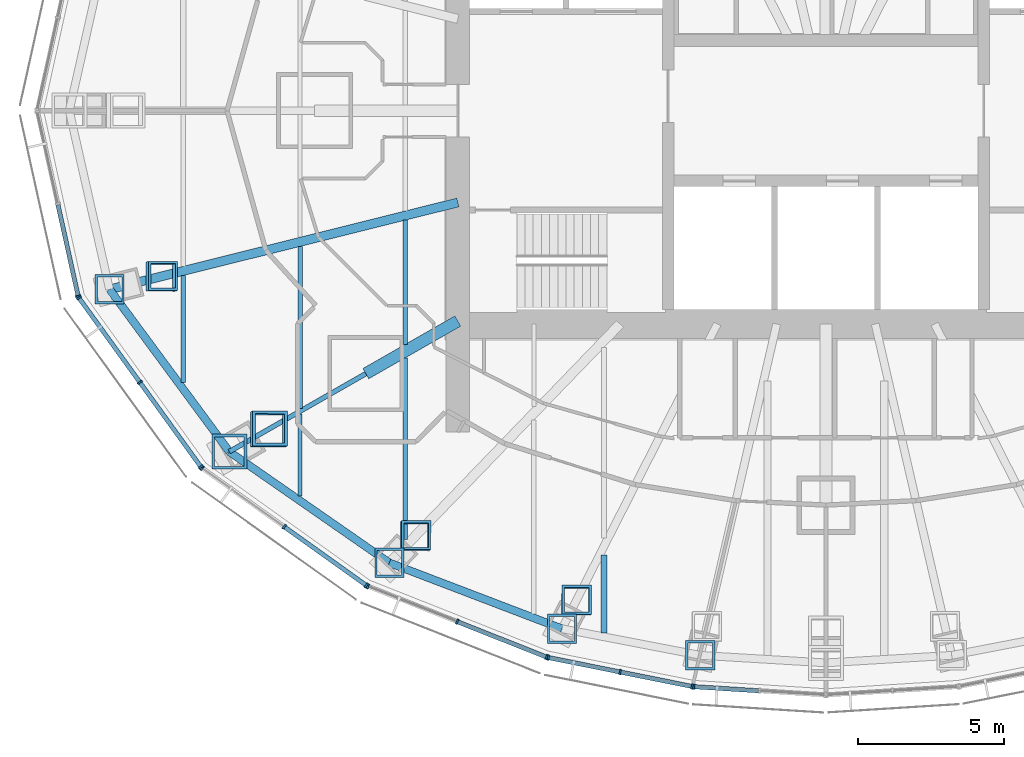
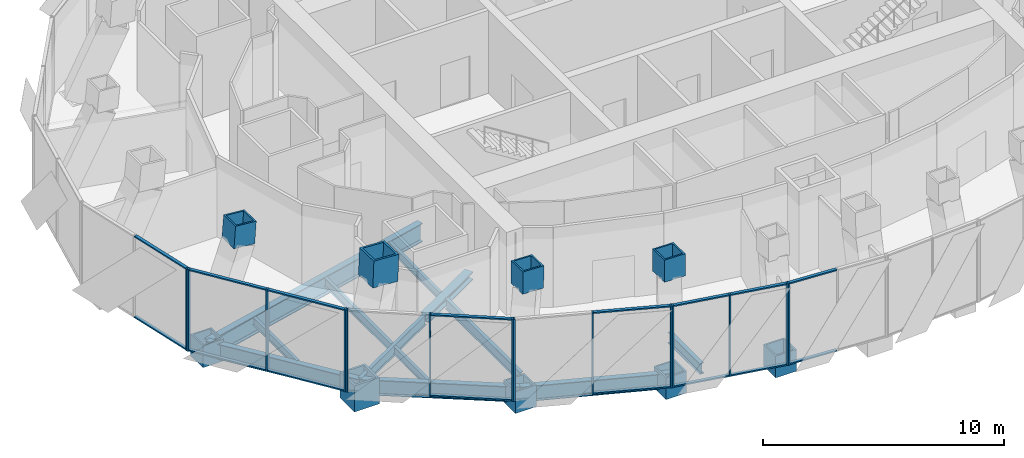
# One storey, part 2 of 18: 39 members, 12 beams, 6 elements without a shape of their own.
"""IFC4 building model written with IfcOpenShell, lengths in metres."""

from ifc_helpers import new_model, si_unit, direction, frame, origin, origin_2d, place, context, subcontext, project, spatial, rectangle, hollow_rectangle, i_section, extrude, material, material_profile, profile_set, type_object, element, aggregate, save


model = new_model("IFC4")

# Units and contexts
model_context = context("Model", 3, precision=1e-05, world=origin(), true_north=direction((0.0, 1.0)))
body_context = subcontext(model_context, "Body", "Model", "MODEL_VIEW")
ifc_project = project(units=[si_unit("LENGTHUNIT", "METRE"), si_unit("AREAUNIT", "SQUARE_METRE"), si_unit("VOLUMEUNIT", "CUBIC_METRE"), si_unit("PLANEANGLEUNIT", "RADIAN"), si_unit("MASSUNIT", "GRAM", prefix="KILO")], contexts=[model_context])

# Site, building, storey
site_placement = place(None, origin())
site = spatial("IfcSite", under=ifc_project, at=site_placement, CompositionType="ELEMENT")
building_placement = place(site_placement, origin())
building = spatial("IfcBuilding", under=site, at=building_placement, Name="Lantaw Convention Tower", CompositionType="ELEMENT")
storey_placement = place(building_placement, frame((0.0, 0.0, 266.199951171875)))
storey = spatial("IfcBuildingStorey", under=building, at=storey_placement, Name="L62", CompositionType="ELEMENT", Elevation=266.199951171875)

# Beams
ifc_material_1 = material(Name="Steel ASTM A992", Category="steel")
ifc_material_profile_1 = material_profile(ifc_material_1, i_section(OverallWidth=0.2666015625, OverallDepth=0.76953125, WebThickness=0.015625, FlangeThickness=0.025390625, FilletRadius=0.0126953125, at=origin_2d()), Name="W30X132")
ifc_profile_set_1 = profile_set([ifc_material_profile_1], Name="Steel ASTM A992")
beam_type_1 = type_object("IfcBeamType", Name="Beam E W30X132", PredefinedType="SPANDREL", material=ifc_profile_set_1)
beam_1_placement = place(storey_placement, frame((-24.52197265625, -6.114013671875, -0.53466796875), z_axis=(0.593639188853, -0.804731329984, 0.0), x_axis=(0.804731329984, 0.593639188853, 0.0)))
element("IfcBeam", 1, at=beam_1_placement, inside=storey, type_object=beam_type_1, Name="Edge beam 14", PredefinedType="SPANDREL", context=body_context, shape_type="SweptSolid", body=[
    extrude(i_section(OverallWidth=0.2666015625, OverallDepth=0.76953125, WebThickness=0.015625, FlangeThickness=0.025390625, FilletRadius=0.0126953125, at=origin_2d()), origin(), (0.0, 0.0, 1.0), 6.904541015625),
])
beam_2_placement = place(storey_placement, frame((-20.423095703125, -11.67041015625, -0.53466796875), z_axis=(0.82135329406, -0.570419815869, 0.0), x_axis=(0.570419815869, 0.82135329406, 0.0)))
element("IfcBeam", 2, at=beam_2_placement, inside=storey, type_object=beam_type_1, Name="Edge beam 15", PredefinedType="SPANDREL", context=body_context, shape_type="SweptSolid", body=[
    extrude(i_section(OverallWidth=0.2666015625, OverallDepth=0.76953125, WebThickness=0.015625, FlangeThickness=0.025390625, FilletRadius=0.0126953125, at=origin_2d()), origin(), (0.0, 0.0, 1.0), 6.67041015625),
])
beam_3_placement = place(storey_placement, frame((-14.9443359375, -15.475341796875, -0.53466796875), z_axis=(0.934234988, -0.356658081637, 0.0), x_axis=(0.356658081637, 0.934234988, 0.0)))
element("IfcBeam", 3, at=beam_3_placement, inside=storey, type_object=beam_type_1, Name="Edge beam 16", PredefinedType="SPANDREL", context=body_context, shape_type="SweptSolid", body=[
    extrude(i_section(OverallWidth=0.2666015625, OverallDepth=0.76953125, WebThickness=0.015625, FlangeThickness=0.025390625, FilletRadius=0.0126953125, at=origin_2d()), origin(), (0.0, 0.0, 1.0), 6.32568359375),
])
ifc_material_profile_2 = material_profile(ifc_material_1, i_section(OverallWidth=0.1650390625, OverallDepth=0.52587890625, WebThickness=0.0087890625, FlangeThickness=0.011474609375, FilletRadius=0.0126953125, at=origin_2d()), Name="W21X44")
ifc_profile_set_2 = profile_set([ifc_material_profile_2], Name="Steel ASTM A992")
beam_type_2 = type_object("IfcBeamType", Name="Beam G W21X44", PredefinedType="BEAM", material=ifc_profile_set_2)
beam_4_placement = place(storey_placement, frame((-15.75, -9.0, -0.412841796875), z_axis=(-0.868237559289, -0.496148708192, 0.0), x_axis=(0.496148708192, -0.868237559289, 0.0)))
element("IfcBeam", 4, at=beam_4_placement, inside=storey, type_object=beam_type_2, Name="Floor girder on ray 15", PredefinedType="BEAM", context=body_context, shape_type="SweptSolid", body=[
    extrude(i_section(OverallWidth=0.1650390625, OverallDepth=0.52587890625, WebThickness=0.0087890625, FlangeThickness=0.011474609375, FilletRadius=0.0126953125, at=origin_2d()), origin(), (0.0, 0.0, 1.0), 5.38232421875),
])
ifc_material_profile_3 = material_profile(ifc_material_1, i_section(OverallWidth=0.307373046875, OverallDepth=0.9423828125, WebThickness=0.022216796875, FlangeThickness=0.039794921875, FilletRadius=0.0126953125, at=origin_2d()), Name="W36X232")
ifc_profile_set_3 = profile_set([ifc_material_profile_3], Name="Steel ASTM A992")
beam_type_3 = type_object("IfcBeamType", Name="Beam G W36X232", PredefinedType="BEAM", material=ifc_profile_set_3)
beam_5_placement = place(storey_placement, frame((-12.60009765625, -3.1416015625, -0.62109375), z_axis=(-0.970296589314, -0.241918434119, 0.0), x_axis=(0.241918434119, -0.970296589314, 0.0)))
element("IfcBeam", 5, at=beam_5_placement, inside=storey, type_object=beam_type_3, Name="Floor girder on ray 14", PredefinedType="BEAM", context=body_context, shape_type="SweptSolid", body=[
    extrude(i_section(OverallWidth=0.307373046875, OverallDepth=0.9423828125, WebThickness=0.022216796875, FlangeThickness=0.039794921875, FilletRadius=0.0126953125, at=origin_2d()), origin(), (0.0, 0.0, 1.0), 12.286865234375),
])
ifc_material_profile_4 = material_profile(ifc_material_1, i_section(OverallWidth=0.40380859375, OverallDepth=0.406494140625, WebThickness=0.027099609375, FlangeThickness=0.043701171875, FilletRadius=0.01513671875, at=origin_2d()), Name="W14X233")
ifc_profile_set_4 = profile_set([ifc_material_profile_4], Name="Steel ASTM A992")
beam_type_4 = type_object("IfcBeamType", Name="Beam GM W14X233", PredefinedType="BEAM", material=ifc_profile_set_4)
beam_6_placement = place(storey_placement, frame((-12.60009765625, -7.199951171875, -0.353271484375), z_axis=(-0.868230718294, -0.496160679428, 0.0), x_axis=(0.496160679428, -0.868230718294, 0.0)))
element("IfcBeam", 6, at=beam_6_placement, inside=storey, type_object=beam_type_4, Name="Core link beam on ray 15", PredefinedType="BEAM", context=body_context, shape_type="SweptSolid", body=[
    extrude(i_section(OverallWidth=0.40380859375, OverallDepth=0.406494140625, WebThickness=0.027099609375, FlangeThickness=0.043701171875, FilletRadius=0.01513671875, at=origin_2d()), origin(), (0.0, 0.0, 1.0), 3.6279296875),
])
ifc_material_profile_5 = material_profile(ifc_material_1, i_section(OverallWidth=0.140380859375, OverallDepth=0.40380859375, WebThickness=0.007080078125, FlangeThickness=0.01123046875, FilletRadius=0.01025390625, at=origin_2d()), Name="W16X31")
ifc_profile_set_5 = profile_set([ifc_material_profile_5], Name="Steel ASTM A992")
beam_type_5 = type_object("IfcBeamType", Name="Beam J W16X31", PredefinedType="JOIST", material=ifc_profile_set_5)
beam_7_placement = place(storey_placement, frame((-22.0, -9.30810546875, -0.351806640625), z_axis=(0.0, 1.0, 0.0), x_axis=(-1.0, 0.0, 0.0)))
element("IfcBeam", 7, at=beam_7_placement, inside=storey, type_object=beam_type_5, Name="Floor joist", PredefinedType="JOIST", context=body_context, shape_type="SweptSolid", body=[
    extrude(i_section(OverallWidth=0.140380859375, OverallDepth=0.40380859375, WebThickness=0.007080078125, FlangeThickness=0.01123046875, FilletRadius=0.01025390625, at=origin_2d()), origin(), (0.0, 0.0, 1.0), 3.66455078125),
])
beam_8_placement = place(storey_placement, frame((-18.0, -13.19091796875, -0.351806640625), z_axis=(0.0, 1.0, 0.0), x_axis=(-1.0, 0.0, 0.0)))
element("IfcBeam", 8, at=beam_8_placement, inside=storey, type_object=beam_type_5, Name="Floor joist", PredefinedType="JOIST", context=body_context, shape_type="SweptSolid", body=[
    extrude(i_section(OverallWidth=0.140380859375, OverallDepth=0.40380859375, WebThickness=0.007080078125, FlangeThickness=0.01123046875, FilletRadius=0.01025390625, at=origin_2d()), origin(), (0.0, 0.0, 1.0), 2.81005859375),
])
beam_9_placement = place(storey_placement, frame((-14.39990234375, -7.99609375, -0.351806640625), z_axis=(0.0, 1.0, 0.0), x_axis=(-1.0, 0.0, 0.0)))
element("IfcBeam", 9, at=beam_9_placement, inside=storey, type_object=beam_type_5, Name="Floor joist", PredefinedType="JOIST", context=body_context, shape_type="SweptSolid", body=[
    extrude(i_section(OverallWidth=0.140380859375, OverallDepth=0.40380859375, WebThickness=0.007080078125, FlangeThickness=0.01123046875, FilletRadius=0.01025390625, at=origin_2d()), origin(), (0.0, 0.0, 1.0), 4.247314453125),
])
ifc_material_profile_6 = material_profile(ifc_material_1, i_section(OverallWidth=0.15234375, OverallDepth=0.449462890625, WebThickness=0.007568359375, FlangeThickness=0.0107421875, FilletRadius=0.01025390625, at=origin_2d()), Name="W18X35")
ifc_profile_set_6 = profile_set([ifc_material_profile_6], Name="Steel ASTM A992")
beam_type_6 = type_object("IfcBeamType", Name="Beam J W18X35", PredefinedType="JOIST", material=ifc_profile_set_6)
beam_10_placement = place(storey_placement, frame((-18.0, -10.190673828125, -0.374755859375), z_axis=(0.0, 1.0, 0.0), x_axis=(-1.0, 0.0, 0.0)))
element("IfcBeam", 10, at=beam_10_placement, inside=storey, type_object=beam_type_6, Name="Floor joist", PredefinedType="JOIST", context=body_context, shape_type="SweptSolid", body=[
    extrude(i_section(OverallWidth=0.15234375, OverallDepth=0.449462890625, WebThickness=0.007568359375, FlangeThickness=0.0107421875, FilletRadius=0.01025390625, at=origin_2d()), origin(), (0.0, 0.0, 1.0), 5.54443359375),
])
ifc_material_profile_7 = material_profile(ifc_material_1, i_section(OverallWidth=0.1650390625, OverallDepth=0.52587890625, WebThickness=0.0087890625, FlangeThickness=0.011474609375, FilletRadius=0.0126953125, at=origin_2d()), Name="W21X44")
ifc_profile_set_7 = profile_set([ifc_material_profile_7], Name="Steel ASTM A992")
beam_type_7 = type_object("IfcBeamType", Name="Beam J W21X44", PredefinedType="JOIST", material=ifc_profile_set_7)
beam_11_placement = place(storey_placement, frame((-14.39990234375, -14.67578125, -0.412841796875), z_axis=(0.0, 1.0, 0.0), x_axis=(-1.0, 0.0, 0.0)))
element("IfcBeam", 11, at=beam_11_placement, inside=storey, type_object=beam_type_7, Name="Floor joist", PredefinedType="JOIST", context=body_context, shape_type="SweptSolid", body=[
    extrude(i_section(OverallWidth=0.1650390625, OverallDepth=0.52587890625, WebThickness=0.0087890625, FlangeThickness=0.011474609375, FilletRadius=0.0126953125, at=origin_2d()), origin(), (0.0, 0.0, 1.0), 6.214599609375),
])
ifc_material_profile_8 = material_profile(ifc_material_1, i_section(OverallWidth=0.2099609375, OverallDepth=0.535888671875, WebThickness=0.010986328125, FlangeThickness=0.017333984375, FilletRadius=0.012939453125, at=origin_2d()), Name="W21X68")
ifc_profile_set_8 = profile_set([ifc_material_profile_8], Name="Steel ASTM A992")
beam_type_8 = type_object("IfcBeamType", Name="Beam J W21X68", PredefinedType="JOIST", material=ifc_profile_set_8)
beam_12_placement = place(storey_placement, frame((-7.60009765625, -17.871826171875, -0.41796875), z_axis=(0.0, 1.0, 0.0), x_axis=(-1.0, 0.0, 0.0)))
element("IfcBeam", 12, at=beam_12_placement, inside=storey, type_object=beam_type_8, Name="Floor joist", PredefinedType="JOIST", context=body_context, shape_type="SweptSolid", body=[
    extrude(i_section(OverallWidth=0.2099609375, OverallDepth=0.535888671875, WebThickness=0.010986328125, FlangeThickness=0.017333984375, FilletRadius=0.012939453125, at=origin_2d()), origin(), (0.0, 0.0, 1.0), 2.662353515625),
])

# Curtain wall, member
ifc_material_2 = material(Name="Aluminium framed curtain wall", Category="aluminium")
curtain_wall_type = type_object("IfcCurtainWallType", Name="Office curtain wall high rise, pale aluminium", PredefinedType="USERDEFINED", material=ifc_material_2)
curtain_wall_1_placement = place(storey_placement, origin())
curtain_wall_1 = element("IfcCurtainWall", 13, at=curtain_wall_1_placement, inside=storey, type_object=curtain_wall_type, Name="Office curtain wall high rise, pale aluminium L62", ObjectType="UNITISED CURTAIN WALL", PredefinedType="USERDEFINED")
ifc_material_3 = material(Name="Aluminium 6063-T6", Category="aluminium")
ifc_material_profile_9 = material_profile(ifc_material_3, rectangle(XDim=0.179931640625, YDim=0.06494140625, at=origin_2d()), Name="CW-O2 mullion 65x180")
ifc_profile_set_9 = profile_set([ifc_material_profile_9], Name="Aluminium 6063-T6")
member_type_1 = type_object("IfcMemberType", Name="CW-O2 mullion 65x180", PredefinedType="MULLION", material=ifc_profile_set_9)
member_1_placement = place(storey_placement, frame((-25.596435546875, -6.348388671875, -0.14990234375), z_axis=(0.0, 0.0, 1.0), x_axis=(0.976417396437, 0.215891333626, 0.0)))
member_1 = element("IfcMember", 14, at=member_1_placement, type_object=member_type_1, Name="CW-O2 mullion 3", PredefinedType="MULLION", context=body_context, shape_type="SweptSolid", body=[
    extrude(rectangle(XDim=0.179931640625, YDim=0.06494140625, at=origin_2d()), origin(), (0.0, 0.0, 1.0), 4.14990234375),
])

# Curtain wall, members
curtain_wall_2_placement = place(storey_placement, origin())
curtain_wall_2 = element("IfcCurtainWall", 15, at=curtain_wall_2_placement, inside=storey, type_object=curtain_wall_type, Name="Office curtain wall high rise, pale aluminium L62", ObjectType="UNITISED CURTAIN WALL", PredefinedType="USERDEFINED")
member_2_placement = place(storey_placement, frame((-25.5703125, -6.406494140625, -0.14990234375), z_axis=(0.0, 0.0, 1.0), x_axis=(0.810919559405, 0.585157643865, 0.0)))
member_2 = element("IfcMember", 16, at=member_2_placement, type_object=member_type_1, Name="CW-O2 mullion 1", PredefinedType="MULLION", context=body_context, shape_type="SweptSolid", body=[
    extrude(rectangle(XDim=0.179931640625, YDim=0.06494140625, at=origin_2d()), origin(), (0.0, 0.0, 1.0), 4.14990234375),
])
member_3_placement = place(storey_placement, frame((-23.483642578125, -9.298095703125, -0.14990234375), z_axis=(0.0, 0.0, 1.0), x_axis=(0.810919559405, 0.585157643865, 0.0)))
member_3 = element("IfcMember", 17, at=member_3_placement, type_object=member_type_1, Name="CW-O2 mullion 2", PredefinedType="MULLION", context=body_context, shape_type="SweptSolid", body=[
    extrude(rectangle(XDim=0.179931640625, YDim=0.06494140625, at=origin_2d()), origin(), (0.0, 0.0, 1.0), 4.14990234375),
])
member_4_placement = place(storey_placement, frame((-21.397216796875, -12.189697265625, -0.14990234375), z_axis=(0.0, 0.0, 1.0), x_axis=(0.810919559405, 0.585157643865, 0.0)))
member_4 = element("IfcMember", 18, at=member_4_placement, type_object=member_type_1, Name="CW-O2 mullion 3", PredefinedType="MULLION", context=body_context, shape_type="SweptSolid", body=[
    extrude(rectangle(XDim=0.179931640625, YDim=0.06494140625, at=origin_2d()), origin(), (0.0, 0.0, 1.0), 4.14990234375),
])

curtain_wall_3_placement = place(storey_placement, origin())
curtain_wall_3 = element("IfcCurtainWall", 19, at=curtain_wall_3_placement, inside=storey, type_object=curtain_wall_type, Name="Office curtain wall high rise, pale aluminium L62", ObjectType="UNITISED CURTAIN WALL", PredefinedType="USERDEFINED")
member_5_placement = place(storey_placement, frame((-21.3515625, -12.23486328125, -0.14990234375), z_axis=(0.0, 0.0, 1.0), x_axis=(0.581323487281, 0.813672540482, 0.0)))
member_5 = element("IfcMember", 20, at=member_5_placement, type_object=member_type_1, Name="CW-O2 mullion 1", PredefinedType="MULLION", context=body_context, shape_type="SweptSolid", body=[
    extrude(rectangle(XDim=0.179931640625, YDim=0.06494140625, at=origin_2d()), origin(), (0.0, 0.0, 1.0), 4.14990234375),
])
member_6_placement = place(storey_placement, frame((-18.543212890625, -14.241455078125, -0.14990234375), z_axis=(0.0, 0.0, 1.0), x_axis=(0.581323487281, 0.813672540482, 0.0)))
member_6 = element("IfcMember", 21, at=member_6_placement, type_object=member_type_1, Name="CW-O2 mullion 2", PredefinedType="MULLION", context=body_context, shape_type="SweptSolid", body=[
    extrude(rectangle(XDim=0.179931640625, YDim=0.06494140625, at=origin_2d()), origin(), (0.0, 0.0, 1.0), 4.14990234375),
])
member_7_placement = place(storey_placement, frame((-15.73486328125, -16.247802734375, -0.14990234375), z_axis=(0.0, 0.0, 1.0), x_axis=(0.581323487281, 0.813672540482, 0.0)))
member_7 = element("IfcMember", 22, at=member_7_placement, type_object=member_type_1, Name="CW-O2 mullion 3", PredefinedType="MULLION", context=body_context, shape_type="SweptSolid", body=[
    extrude(rectangle(XDim=0.179931640625, YDim=0.06494140625, at=origin_2d()), origin(), (0.0, 0.0, 1.0), 4.14990234375),
])

curtain_wall_4_placement = place(storey_placement, origin())
curtain_wall_4 = element("IfcCurtainWall", 23, at=curtain_wall_4_placement, inside=storey, type_object=curtain_wall_type, Name="Office curtain wall high rise, pale aluminium L62", ObjectType="UNITISED CURTAIN WALL", PredefinedType="USERDEFINED")
member_8_placement = place(storey_placement, frame((-15.67822265625, -16.278564453125, -0.14990234375), z_axis=(0.0, 0.0, 1.0), x_axis=(0.368162315252, 0.929761533743, 0.0)))
member_8 = element("IfcMember", 24, at=member_8_placement, type_object=member_type_1, Name="CW-O2 mullion 1", PredefinedType="MULLION", context=body_context, shape_type="SweptSolid", body=[
    extrude(rectangle(XDim=0.179931640625, YDim=0.06494140625, at=origin_2d()), origin(), (0.0, 0.0, 1.0), 4.14990234375),
])
member_9_placement = place(storey_placement, frame((-12.621337890625, -17.4892578125, -0.14990234375), z_axis=(0.0, 0.0, 1.0), x_axis=(0.368162315252, 0.929761533743, 0.0)))
member_9 = element("IfcMember", 25, at=member_9_placement, type_object=member_type_1, Name="CW-O2 mullion 2", PredefinedType="MULLION", context=body_context, shape_type="SweptSolid", body=[
    extrude(rectangle(XDim=0.179931640625, YDim=0.06494140625, at=origin_2d()), origin(), (0.0, 0.0, 1.0), 4.14990234375),
])
member_10_placement = place(storey_placement, frame((-9.564208984375, -18.69970703125, -0.14990234375), z_axis=(0.0, 0.0, 1.0), x_axis=(0.368162315252, 0.929761533743, 0.0)))
member_10 = element("IfcMember", 26, at=member_10_placement, type_object=member_type_1, Name="CW-O2 mullion 3", PredefinedType="MULLION", context=body_context, shape_type="SweptSolid", body=[
    extrude(rectangle(XDim=0.179931640625, YDim=0.06494140625, at=origin_2d()), origin(), (0.0, 0.0, 1.0), 4.14990234375),
])

curtain_wall_5_placement = place(storey_placement, origin())
curtain_wall_5 = element("IfcCurtainWall", 27, at=curtain_wall_5_placement, inside=storey, type_object=curtain_wall_type, Name="Office curtain wall high rise, pale aluminium L62", ObjectType="UNITISED CURTAIN WALL", PredefinedType="USERDEFINED")
member_11_placement = place(storey_placement, frame((-9.502197265625, -18.718017578125, -0.14990234375), z_axis=(0.0, 0.0, 1.0), x_axis=(0.197183095987, 0.980366679695, 0.0)))
member_11 = element("IfcMember", 28, at=member_11_placement, type_object=member_type_1, Name="CW-O2 mullion 1", PredefinedType="MULLION", context=body_context, shape_type="SweptSolid", body=[
    extrude(rectangle(XDim=0.179931640625, YDim=0.06494140625, at=origin_2d()), origin(), (0.0, 0.0, 1.0), 4.14990234375),
])
member_12_placement = place(storey_placement, frame((-7.042724609375, -19.212646484375, -0.14990234375), z_axis=(0.0, 0.0, 1.0), x_axis=(0.197183095987, 0.980366679695, 0.0)))
member_12 = element("IfcMember", 29, at=member_12_placement, type_object=member_type_1, Name="CW-O2 mullion 2", PredefinedType="MULLION", context=body_context, shape_type="SweptSolid", body=[
    extrude(rectangle(XDim=0.179931640625, YDim=0.06494140625, at=origin_2d()), origin(), (0.0, 0.0, 1.0), 4.14990234375),
])
member_13_placement = place(storey_placement, frame((-4.583251953125, -19.70751953125, -0.14990234375), z_axis=(0.0, 0.0, 1.0), x_axis=(0.197183095987, 0.980366679695, 0.0)))
member_13 = element("IfcMember", 30, at=member_13_placement, type_object=member_type_1, Name="CW-O2 mullion 3", PredefinedType="MULLION", context=body_context, shape_type="SweptSolid", body=[
    extrude(rectangle(XDim=0.179931640625, YDim=0.06494140625, at=origin_2d()), origin(), (0.0, 0.0, 1.0), 4.14990234375),
])

# Curtain wall, member
curtain_wall_6_placement = place(storey_placement, origin())
curtain_wall_6 = element("IfcCurtainWall", 31, at=curtain_wall_6_placement, inside=storey, type_object=curtain_wall_type, Name="Office curtain wall high rise, pale aluminium L62", ObjectType="UNITISED CURTAIN WALL", PredefinedType="USERDEFINED")
member_14_placement = place(storey_placement, frame((-4.518798828125, -19.7158203125, -0.14990234375), z_axis=(0.0, 0.0, 1.0), x_axis=(0.062757983884, 0.998028774865, 0.0)))
member_14 = element("IfcMember", 32, at=member_14_placement, type_object=member_type_1, Name="CW-O2 mullion 1", PredefinedType="MULLION", context=body_context, shape_type="SweptSolid", body=[
    extrude(rectangle(XDim=0.179931640625, YDim=0.06494140625, at=origin_2d()), origin(), (0.0, 0.0, 1.0), 4.14990234375),
])

# Member
ifc_material_profile_10 = material_profile(ifc_material_3, rectangle(XDim=0.14990234375, YDim=0.06494140625, at=origin_2d()), Name="CW-O2 transom 65x150")
ifc_profile_set_10 = profile_set([ifc_material_profile_10], Name="Aluminium 6063-T6")
member_type_2 = type_object("IfcMemberType", Name="CW-O2 transom 65x150", PredefinedType="USERDEFINED", material=ifc_profile_set_10)
member_15_placement = place(storey_placement, frame((-26.28759765625, -3.2216796875, -0.117431640625), z_axis=(0.215894607042, -0.976416672661, 0.0), x_axis=(0.976416672661, 0.215894607042, 0.0)))
member_15 = element("IfcMember", 33, at=member_15_placement, type_object=member_type_2, Name="CW-O2 transom 2.1", ObjectType="TRANSOM", PredefinedType="USERDEFINED", context=body_context, shape_type="SweptSolid", body=[
    extrude(rectangle(XDim=0.14990234375, YDim=0.06494140625, at=origin_2d()), origin(), (0.0, 0.0, 1.0), 3.169677734375),
])

member_16_placement = place(storey_placement, frame((-26.28759765625, -3.2216796875, 3.967529296875), z_axis=(0.215894607042, -0.976416672661, 0.0), x_axis=(0.976416672661, 0.215894607042, 0.0)))
member_16 = element("IfcMember", 34, at=member_16_placement, type_object=member_type_2, Name="CW-O2 transom 2.2", ObjectType="TRANSOM", PredefinedType="USERDEFINED", context=body_context, shape_type="SweptSolid", body=[
    extrude(rectangle(XDim=0.14990234375, YDim=0.06494140625, at=origin_2d()), origin(), (0.0, 0.0, 1.0), 3.169677734375),
])

aggregate(curtain_wall_1, [member_1, member_15, member_16])

member_17_placement = place(storey_placement, frame((-25.55126953125, -6.432861328125, -0.117431640625), z_axis=(0.585169685931, -0.810910869743, 0.0), x_axis=(0.810910869743, 0.585169685931, 0.0)))
member_17 = element("IfcMember", 35, at=member_17_placement, type_object=member_type_2, Name="CW-O2 transom 1.1", ObjectType="TRANSOM", PredefinedType="USERDEFINED", context=body_context, shape_type="SweptSolid", body=[
    extrude(rectangle(XDim=0.14990234375, YDim=0.06494140625, at=origin_2d()), origin(), (0.0, 0.0, 1.0), 3.500732421875),
])

member_18_placement = place(storey_placement, frame((-25.55126953125, -6.432861328125, 3.967529296875), z_axis=(0.585169685931, -0.810910869743, 0.0), x_axis=(0.810910869743, 0.585169685931, 0.0)))
member_18 = element("IfcMember", 36, at=member_18_placement, type_object=member_type_2, Name="CW-O2 transom 1.2", ObjectType="TRANSOM", PredefinedType="USERDEFINED", context=body_context, shape_type="SweptSolid", body=[
    extrude(rectangle(XDim=0.14990234375, YDim=0.06494140625, at=origin_2d()), origin(), (0.0, 0.0, 1.0), 3.500732421875),
])

member_19_placement = place(storey_placement, frame((-23.464599609375, -9.324462890625, -0.117431640625), z_axis=(0.585123825205, -0.810943961798, 0.0), x_axis=(0.810943961798, 0.585123825205, 0.0)))
member_19 = element("IfcMember", 37, at=member_19_placement, type_object=member_type_2, Name="CW-O2 transom 2.1", ObjectType="TRANSOM", PredefinedType="USERDEFINED", context=body_context, shape_type="SweptSolid", body=[
    extrude(rectangle(XDim=0.14990234375, YDim=0.06494140625, at=origin_2d()), origin(), (0.0, 0.0, 1.0), 3.500732421875),
])

member_20_placement = place(storey_placement, frame((-23.464599609375, -9.324462890625, 3.967529296875), z_axis=(0.585123825205, -0.810943961798, 0.0), x_axis=(0.810943961798, 0.585123825205, 0.0)))
member_20 = element("IfcMember", 38, at=member_20_placement, type_object=member_type_2, Name="CW-O2 transom 2.2", ObjectType="TRANSOM", PredefinedType="USERDEFINED", context=body_context, shape_type="SweptSolid", body=[
    extrude(rectangle(XDim=0.14990234375, YDim=0.06494140625, at=origin_2d()), origin(), (0.0, 0.0, 1.0), 3.500732421875),
])

aggregate(curtain_wall_2, [member_2, member_3, member_4, member_17, member_18, member_19, member_20])

member_21_placement = place(storey_placement, frame((-18.516845703125, -14.26025390625, -0.117431640625), z_axis=(0.813645780821, -0.581360940683, 0.0), x_axis=(0.581360940683, 0.813645780821, 0.0)))
member_21 = element("IfcMember", 39, at=member_21_placement, type_object=member_type_2, Name="CW-O2 transom 2.1", ObjectType="TRANSOM", PredefinedType="USERDEFINED", context=body_context, shape_type="SweptSolid", body=[
    extrude(rectangle(XDim=0.14990234375, YDim=0.06494140625, at=origin_2d()), origin(), (0.0, 0.0, 1.0), 3.386474609375),
])

member_22_placement = place(storey_placement, frame((-18.516845703125, -14.26025390625, 3.967529296875), z_axis=(0.813645780821, -0.581360940683, 0.0), x_axis=(0.581360940683, 0.813645780821, 0.0)))
member_22 = element("IfcMember", 40, at=member_22_placement, type_object=member_type_2, Name="CW-O2 transom 2.2", ObjectType="TRANSOM", PredefinedType="USERDEFINED", context=body_context, shape_type="SweptSolid", body=[
    extrude(rectangle(XDim=0.14990234375, YDim=0.06494140625, at=origin_2d()), origin(), (0.0, 0.0, 1.0), 3.386474609375),
])

aggregate(curtain_wall_3, [member_5, member_6, member_7, member_21, member_22])

member_23_placement = place(storey_placement, frame((-12.591064453125, -17.501220703125, -0.117431640625), z_axis=(0.929766642946, -0.368149412149, 0.0), x_axis=(0.368149412149, 0.929766642946, 0.0)))
member_23 = element("IfcMember", 41, at=member_23_placement, type_object=member_type_2, Name="CW-O2 transom 2.1", ObjectType="TRANSOM", PredefinedType="USERDEFINED", context=body_context, shape_type="SweptSolid", body=[
    extrude(rectangle(XDim=0.14990234375, YDim=0.06494140625, at=origin_2d()), origin(), (0.0, 0.0, 1.0), 3.222900390625),
])

member_24_placement = place(storey_placement, frame((-12.591064453125, -17.501220703125, 3.967529296875), z_axis=(0.929766642946, -0.368149412149, 0.0), x_axis=(0.368149412149, 0.929766642946, 0.0)))
member_24 = element("IfcMember", 42, at=member_24_placement, type_object=member_type_2, Name="CW-O2 transom 2.2", ObjectType="TRANSOM", PredefinedType="USERDEFINED", context=body_context, shape_type="SweptSolid", body=[
    extrude(rectangle(XDim=0.14990234375, YDim=0.06494140625, at=origin_2d()), origin(), (0.0, 0.0, 1.0), 3.222900390625),
])

aggregate(curtain_wall_4, [member_8, member_9, member_10, member_23, member_24])

member_25_placement = place(storey_placement, frame((-9.47021484375, -18.724365234375, -0.117431640625), z_axis=(0.98036104319, -0.197211117829, 0.0), x_axis=(0.197211117829, 0.98036104319, 0.0)))
member_25 = element("IfcMember", 43, at=member_25_placement, type_object=member_type_2, Name="CW-O2 transom 1.1", ObjectType="TRANSOM", PredefinedType="USERDEFINED", context=body_context, shape_type="SweptSolid", body=[
    extrude(rectangle(XDim=0.14990234375, YDim=0.06494140625, at=origin_2d()), origin(), (0.0, 0.0, 1.0), 2.44384765625),
])

member_26_placement = place(storey_placement, frame((-9.47021484375, -18.724365234375, 3.967529296875), z_axis=(0.98036104319, -0.197211117829, 0.0), x_axis=(0.197211117829, 0.98036104319, 0.0)))
member_26 = element("IfcMember", 44, at=member_26_placement, type_object=member_type_2, Name="CW-O2 transom 1.2", ObjectType="TRANSOM", PredefinedType="USERDEFINED", context=body_context, shape_type="SweptSolid", body=[
    extrude(rectangle(XDim=0.14990234375, YDim=0.06494140625, at=origin_2d()), origin(), (0.0, 0.0, 1.0), 2.44384765625),
])

member_27_placement = place(storey_placement, frame((-7.0107421875, -19.21923828125, -0.117431640625), z_axis=(0.980380354178, -0.197115096178, 0.0), x_axis=(0.197115096178, 0.980380354178, 0.0)))
member_27 = element("IfcMember", 45, at=member_27_placement, type_object=member_type_2, Name="CW-O2 transom 2.1", ObjectType="TRANSOM", PredefinedType="USERDEFINED", context=body_context, shape_type="SweptSolid", body=[
    extrude(rectangle(XDim=0.14990234375, YDim=0.06494140625, at=origin_2d()), origin(), (0.0, 0.0, 1.0), 2.443603515625),
])

member_28_placement = place(storey_placement, frame((-7.0107421875, -19.21923828125, 3.967529296875), z_axis=(0.980380354178, -0.197115096178, 0.0), x_axis=(0.197115096178, 0.980380354178, 0.0)))
member_28 = element("IfcMember", 46, at=member_28_placement, type_object=member_type_2, Name="CW-O2 transom 2.2", ObjectType="TRANSOM", PredefinedType="USERDEFINED", context=body_context, shape_type="SweptSolid", body=[
    extrude(rectangle(XDim=0.14990234375, YDim=0.06494140625, at=origin_2d()), origin(), (0.0, 0.0, 1.0), 2.443603515625),
])

aggregate(curtain_wall_5, [member_11, member_12, member_13, member_25, member_26, member_27, member_28])

member_29_placement = place(storey_placement, frame((-4.486328125, -19.7177734375, -0.117431640625), z_axis=(0.998021991509, -0.062865765437, 0.0), x_axis=(0.062865765437, 0.998021991509, 0.0)))
member_29 = element("IfcMember", 47, at=member_29_placement, type_object=member_type_2, Name="CW-O2 transom 1.1", ObjectType="TRANSOM", PredefinedType="USERDEFINED", context=body_context, shape_type="SweptSolid", body=[
    extrude(rectangle(XDim=0.14990234375, YDim=0.06494140625, at=origin_2d()), origin(), (0.0, 0.0, 1.0), 2.1826171875),
])

member_30_placement = place(storey_placement, frame((-4.486328125, -19.7177734375, 3.967529296875), z_axis=(0.998021991509, -0.062865765437, 0.0), x_axis=(0.062865765437, 0.998021991509, 0.0)))
member_30 = element("IfcMember", 48, at=member_30_placement, type_object=member_type_2, Name="CW-O2 transom 1.2", ObjectType="TRANSOM", PredefinedType="USERDEFINED", context=body_context, shape_type="SweptSolid", body=[
    extrude(rectangle(XDim=0.14990234375, YDim=0.06494140625, at=origin_2d()), origin(), (0.0, 0.0, 1.0), 2.1826171875),
])

aggregate(curtain_wall_6, [member_14, member_29, member_30])

# Members
ifc_material_4 = material(Name="Cast steel ASTM A148 Grade 80-50", Category="steel")
ifc_material_profile_11 = material_profile(ifc_material_4, hollow_rectangle(XDim=1.0, YDim=1.0, WallThickness=0.080078125, at=origin_2d()), Name="BOX1000X80")
ifc_profile_set_11 = profile_set([ifc_material_profile_11], Name="Cast steel ASTM A148 Grade 80-50")
member_type_3 = type_object("IfcMemberType", Name="Member CN BOX1000X80", PredefinedType="USERDEFINED", material=ifc_profile_set_11)
member_31_placement = place(storey_placement, frame((-24.52197265625, -6.114013671875, -1.099853515625), z_axis=(0.0, 0.0, 1.0), x_axis=(1.0, 0.0, 0.0)))
element("IfcMember", 49, at=member_31_placement, inside=storey, type_object=member_type_3, Name="Cast steel column node", ObjectType="COLUMN NODE", PredefinedType="USERDEFINED", context=body_context, shape_type="SweptSolid", body=[
    extrude(hollow_rectangle(XDim=1.0, YDim=1.0, WallThickness=0.080078125, at=origin_2d()), origin(), (0.0, 0.0, 1.0), 1.099853515625),
])
member_32_placement = place(storey_placement, frame((-22.778076171875, -5.67919921875, 3.99169921875), z_axis=(0.082478910329, 0.020564446811, 0.996380616471), x_axis=(0.996592810197, -0.001698130126, -0.082461427453)))
element("IfcMember", 50, at=member_32_placement, inside=storey, type_object=member_type_3, Name="Cast steel column node", ObjectType="COLUMN NODE", PredefinedType="USERDEFINED", context=body_context, shape_type="SweptSolid", body=[
    extrude(hollow_rectangle(XDim=1.0, YDim=1.0, WallThickness=0.080078125, at=origin_2d()), origin(), (0.0, 0.0, 1.0), 1.10400390625),
])
member_33_placement = place(storey_placement, frame((-14.9443359375, -15.475341796875, -1.099853515625), z_axis=(0.0, 0.0, 1.0), x_axis=(1.0, 0.0, 0.0)))
element("IfcMember", 51, at=member_33_placement, inside=storey, type_object=member_type_3, Name="Cast steel column node", ObjectType="COLUMN NODE", PredefinedType="USERDEFINED", context=body_context, shape_type="SweptSolid", body=[
    extrude(hollow_rectangle(XDim=1.0, YDim=1.0, WallThickness=0.080078125, at=origin_2d()), origin(), (0.0, 0.0, 1.0), 1.099853515625),
])
member_34_placement = place(storey_placement, frame((-14.06103515625, -14.560546875, 4.047119140625), z_axis=(0.030375009285, 0.03126187087, 0.999049575467), x_axis=(0.999533854415, -0.00402119647, -0.03026390354)))
element("IfcMember", 52, at=member_34_placement, inside=storey, type_object=member_type_3, Name="Cast steel column node", ObjectType="COLUMN NODE", PredefinedType="USERDEFINED", context=body_context, shape_type="SweptSolid", body=[
    extrude(hollow_rectangle(XDim=1.0, YDim=1.0, WallThickness=0.080078125, at=origin_2d()), origin(), (0.0, 0.0, 1.0), 1.10107421875),
])
member_35_placement = place(storey_placement, frame((-9.03466796875, -17.7314453125, -1.099853515625), z_axis=(0.0, 0.0, 1.0), x_axis=(1.0, 0.0, 0.0)))
element("IfcMember", 53, at=member_35_placement, inside=storey, type_object=member_type_3, Name="Cast steel column node", ObjectType="COLUMN NODE", PredefinedType="USERDEFINED", context=body_context, shape_type="SweptSolid", body=[
    extrude(hollow_rectangle(XDim=1.0, YDim=1.0, WallThickness=0.080078125, at=origin_2d()), origin(), (0.0, 0.0, 1.0), 1.099853515625),
])
member_36_placement = place(storey_placement, frame((-8.544189453125, -16.768798828125, 4.06884765625), z_axis=(0.014421183142, 0.028176773216, 0.999498923925), x_axis=(0.999894369533, -0.002216723787, -0.014364397358)))
element("IfcMember", 54, at=member_36_placement, inside=storey, type_object=member_type_3, Name="Cast steel column node", ObjectType="COLUMN NODE", PredefinedType="USERDEFINED", context=body_context, shape_type="SweptSolid", body=[
    extrude(hollow_rectangle(XDim=1.0, YDim=1.0, WallThickness=0.080078125, at=origin_2d()), origin(), (0.0, 0.0, 1.0), 1.100341796875),
])
member_37_placement = place(storey_placement, frame((-4.303955078125, -18.64208984375, -1.099853515625), z_axis=(0.0, 0.0, 1.0), x_axis=(1.0, 0.0, 0.0)))
element("IfcMember", 55, at=member_37_placement, inside=storey, type_object=member_type_3, Name="Cast steel column node", ObjectType="COLUMN NODE", PredefinedType="USERDEFINED", context=body_context, shape_type="SweptSolid", body=[
    extrude(hollow_rectangle(XDim=1.0, YDim=1.0, WallThickness=0.080078125, at=origin_2d()), origin(), (0.0, 0.0, 1.0), 1.099853515625),
])
ifc_material_profile_12 = material_profile(ifc_material_4, hollow_rectangle(XDim=1.199951171875, YDim=1.199951171875, WallThickness=0.10009765625, at=origin_2d()), Name="BOX1200X100")
ifc_profile_set_12 = profile_set([ifc_material_profile_12], Name="Cast steel ASTM A148 Grade 80-50")
member_type_4 = type_object("IfcMemberType", Name="Member CN BOX1200X100", PredefinedType="USERDEFINED", material=ifc_profile_set_12)
member_38_placement = place(storey_placement, frame((-20.423095703125, -11.67041015625, -1.320068359375), z_axis=(0.0, 0.0, 1.0), x_axis=(1.0, 0.0, 0.0)))
element("IfcMember", 56, at=member_38_placement, inside=storey, type_object=member_type_4, Name="Cast steel column node", ObjectType="COLUMN NODE", PredefinedType="USERDEFINED", context=body_context, shape_type="SweptSolid", body=[
    extrude(hollow_rectangle(XDim=1.199951171875, YDim=1.199951171875, WallThickness=0.10009765625, at=origin_2d()), origin(), (0.0, 0.0, 1.0), 1.320068359375),
])
member_39_placement = place(storey_placement, frame((-19.09912109375, -10.913818359375, 3.982421875), z_axis=(0.05463540276, 0.031193861711, 0.998018995689), x_axis=(0.998506304654, -0.002070978644, -0.054597349877)))
element("IfcMember", 57, at=member_39_placement, inside=storey, type_object=member_type_4, Name="Cast steel column node", ObjectType="COLUMN NODE", PredefinedType="USERDEFINED", context=body_context, shape_type="SweptSolid", body=[
    extrude(hollow_rectangle(XDim=1.199951171875, YDim=1.199951171875, WallThickness=0.10009765625, at=origin_2d()), origin(), (0.0, 0.0, 1.0), 1.32275390625),
])

save(model, "model.ifc")
